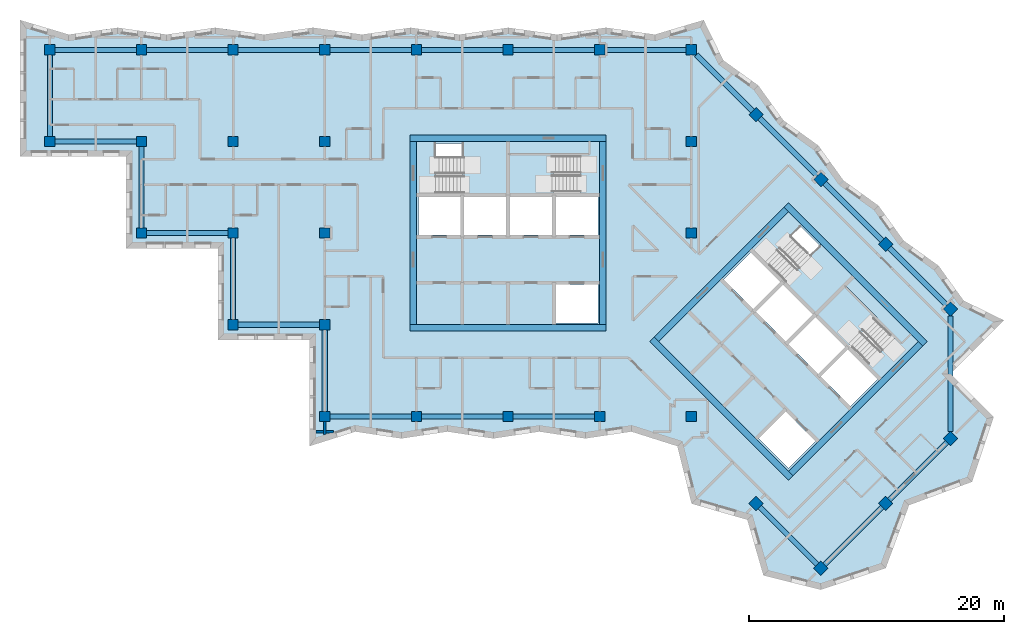
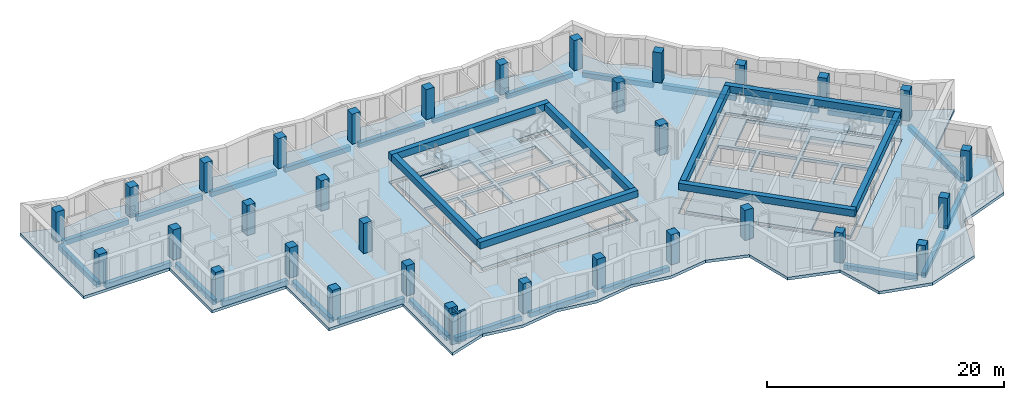
# One storey, part 1 of 13: 33 beams, 32 columns, 7 slabs, 2 walls, 16 openings, 4 elements without a shape of their own.
"""IFC4 building model written with IfcOpenShell, lengths in metres."""

from ifc_helpers import new_model, si_unit, direction, frame, frame_2d, origin, origin_2d, place, context, subcontext, project, spatial, polyline, rectangle, outline, extrude, material, layer, layer_set, material_profile, profile_set, type_object, element, aggregate, save


model = new_model("IFC4")

# Units and contexts
model_context = context("Model", 3, precision=1e-05, world=origin(), true_north=direction((0.0, 1.0)))
body_context = subcontext(model_context, "Body", "Model", "MODEL_VIEW")
ifc_project = project(units=[si_unit("LENGTHUNIT", "METRE"), si_unit("AREAUNIT", "SQUARE_METRE"), si_unit("VOLUMEUNIT", "CUBIC_METRE"), si_unit("PLANEANGLEUNIT", "RADIAN"), si_unit("MASSUNIT", "GRAM", prefix="KILO")], contexts=[model_context])

# Site, building, storey
site_placement = place(None, origin())
site = spatial("IfcSite", under=ifc_project, at=site_placement, CompositionType="ELEMENT")
building_placement = place(site_placement, origin())
building = spatial("IfcBuilding", under=site, at=building_placement, Name="Windrow Commons", CompositionType="ELEMENT")
storey_placement = place(building_placement, frame((0.0, 0.0, 216.8)))
storey = spatial("IfcBuildingStorey", under=building, at=storey_placement, Name="L59", CompositionType="ELEMENT", Elevation=216.8)

# Columns
ifc_material_1 = material(Name="Concrete C50/60", Category="concrete")
ifc_material_profile_1 = material_profile(ifc_material_1, rectangle(XDim=0.8, YDim=0.8, at=origin_2d()))
ifc_profile_set_1 = profile_set([ifc_material_profile_1], Name="Concrete C50/60")
column_type = type_object("IfcColumnType", Name="RC COLUMN 800x800 C50/60", PredefinedType="COLUMN", material=ifc_profile_set_1)
for number, where, z_axis, x_axis, name in (
    (1, (28.8, 64.8, 0.0), (0.0, 0.0, 1.0), (1.0, 0.0, 0.0), "C-Z4-05I"),
    (2, (28.8, 72.0, 0.0), (0.0, 0.0, 1.0), (1.0, 0.0, 0.0), "C-Z4-05J"),
    (3, (36.0, 57.6, 0.0), (0.0, 0.0, 1.0), (1.0, 0.0, 0.0), "C-Z4-06H"),
    (4, (36.0, 64.8, 0.0), (0.0, 0.0, 1.0), (1.0, 0.0, 0.0), "C-Z4-06I"),
    (5, (36.0, 72.0, 0.0), (0.0, 0.0, 1.0), (1.0, 0.0, 0.0), "C-Z4-06J"),
    (6, (43.2, 50.4, 0.0), (0.0, 0.0, 1.0), (1.0, 0.0, 0.0), "C-Z4-07G"),
    (7, (43.2, 57.6, 0.0), (0.0, 0.0, 1.0), (1.0, 0.0, 0.0), "C-Z4-07H"),
    (8, (43.2, 64.8, 0.0), (0.0, 0.0, 1.0), (1.0, 0.0, 0.0), "C-Z4-07I"),
    (9, (43.2, 72.0, 0.0), (0.0, 0.0, 1.0), (1.0, 0.0, 0.0), "C-Z4-07J"),
    (10, (50.4, 43.2, 0.0), (0.0, 0.0, 1.0), (1.0, 0.0, 0.0), "C-Z4-08F"),
    (11, (50.4, 50.4, 0.0), (0.0, 0.0, 1.0), (1.0, 0.0, 0.0), "C-Z4-08G"),
    (12, (50.4, 57.6, 0.0), (0.0, 0.0, 1.0), (1.0, 0.0, 0.0), "C-Z4-08H"),
    (13, (50.4, 64.8, 0.0), (0.0, 0.0, 1.0), (1.0, 0.0, 0.0), "C-Z4-08I"),
    (14, (50.4, 72.0, 0.0), (0.0, 0.0, 1.0), (1.0, 0.0, 0.0), "C-Z4-08J"),
    (15, (57.6, 43.2, 0.0), (0.0, 0.0, 1.0), (1.0, 0.0, 0.0), "C-Z4-09F"),
    (16, (57.6, 72.0, 0.0), (0.0, 0.0, 1.0), (1.0, 0.0, 0.0), "C-Z4-09J"),
    (17, (64.8, 43.2, 0.0), (0.0, 0.0, 1.0), (1.0, 0.0, 0.0), "C-Z4-10F"),
    (18, (64.8, 72.0, 0.0), (0.0, 0.0, 1.0), (1.0, 0.0, 0.0), "C-Z4-10J"),
    (19, (72.0, 43.2, 0.0), (0.0, 0.0, 1.0), (1.0, 0.0, 0.0), "C-Z4-11F"),
    (20, (72.0, 72.0, 0.0), (0.0, 0.0, 1.0), (1.0, 0.0, 0.0), "C-Z4-11J"),
    (21, (79.2, 43.2, 0.0), (0.0, 0.0, 1.0), (1.0, 0.0, 0.0), "C-Z4-12F"),
    (22, (79.2, 57.6, 0.0), (0.0, 0.0, 1.0), (1.0, 0.0, 0.0), "C-Z4-12H"),
    (23, (79.2, 64.8, 0.0), (0.0, 0.0, 1.0), (1.0, 0.0, 0.0), "C-Z4-12I"),
    (24, (79.2, 72.0, 0.0), (0.0, 0.0, 1.0), (1.0, 0.0, 0.0), "C-Z4-12J"),
    (25, (84.2912, 66.9088, 0.0), (0.0, 0.0, 1.0), (0.7071067812, -0.7071067812, 0.0), "C-Z4-P2Q"),
    (26, (89.3823, 61.8177, 0.0), (0.0, 0.0, 1.0), (0.7071067812, -0.7071067812, 0.0), "C-Z4-P3Q"),
    (27, (94.4735, 56.7265, 0.0), (0.0, 0.0, 1.0), (0.7071067812, -0.7071067812, 0.0), "C-Z4-P4Q"),
    (28, (99.5647, 51.6353, 0.0), (0.0, 0.0, 1.0), (0.7071067812, -0.7071067812, 0.0), "C-Z4-P5Q"),
    (29, (84.2912, 36.3618, 0.0), (0.0, 0.0, 1.0), (0.7071067812, -0.7071067812, 0.0), "C-Z4-P5T"),
    (30, (99.5647, 41.453, 0.0), (0.0, 0.0, 1.0), (0.7071067812, -0.7071067812, 0.0), "C-Z4-P6R"),
    (31, (94.4735, 36.3618, 0.0), (0.0, 0.0, 1.0), (0.7071067812, -0.7071067812, 0.0), "C-Z4-P6S"),
    (32, (89.3823, 31.2706, 0.0), (0.0, 0.0, 1.0), (0.7071067812, -0.7071067812, 0.0), "C-Z4-P6T"),
):
    element("IfcColumn", number, at=place(storey_placement, frame(where, z_axis=z_axis, x_axis=x_axis)), inside=storey, type_object=column_type, Name=name, PredefinedType="COLUMN", context=body_context, shape_type="SweptSolid", body=[
        extrude(rectangle(XDim=0.8, YDim=0.8, at=origin_2d()), origin(), (0.0, 0.0, 1.0), 3.1),
    ])

# Beams
ifc_material_2 = material(Name="Concrete C40/50", Category="concrete")
ifc_material_profile_2 = material_profile(ifc_material_2, rectangle(XDim=0.5, YDim=0.7, at=origin_2d()))
ifc_profile_set_2 = profile_set([ifc_material_profile_2], Name="Concrete C40/50")
beam_type_1 = type_object("IfcBeamType", Name="RC COUPLING BEAM 500x700 C40/50", PredefinedType="LINTEL", material=ifc_profile_set_2)
for number, where, z_axis, x_axis, name in (
    (33, (57.1, 50.15, 2.75), (1.0, 0.0, 0.0), (0.0, 1.0, 0.0), "Core A coupling beam outer-S"),
    (34, (57.1, 65.05, 2.75), (1.0, 0.0, 0.0), (0.0, 1.0, 0.0), "Core A coupling beam outer-N"),
):
    element("IfcBeam", number, at=place(storey_placement, frame(where, z_axis=z_axis, x_axis=x_axis)), inside=storey, type_object=beam_type_1, Name=name, PredefinedType="LINTEL", context=body_context, shape_type="SweptSolid", body=[
        extrude(rectangle(XDim=0.5, YDim=0.7, at=origin_2d()), origin(), (0.0, 0.0, 1.0), 15.4),
    ])
for number, where, z_axis, x_axis, name in (
    (35, (57.35, 50.4, 2.75), (0.0, 1.0, 0.0), (-1.0, 0.0, 0.0), "Core A coupling beam outer-W"),
    (36, (72.25, 50.4, 2.75), (0.0, 1.0, 0.0), (-1.0, 0.0, 0.0), "Core A coupling beam outer-E"),
):
    element("IfcBeam", number, at=place(storey_placement, frame(where, z_axis=z_axis, x_axis=x_axis)), inside=storey, type_object=beam_type_1, Name=name, PredefinedType="LINTEL", context=body_context, shape_type="SweptSolid", body=[
        extrude(rectangle(XDim=0.5, YDim=0.7, at=origin_2d()), origin(), (0.0, 0.0, 1.0), 14.4),
    ])
for number, where, z_axis, x_axis, name in (
    (37, (76.1241, 49.2665, 2.75), (0.7071067812, -0.7071067812, 0.0), (0.7071067812, 0.7071067812, 0.0), "Core B coupling beam outer-S"),
    (38, (86.66, 59.8024, 2.75), (0.7071067812, -0.7071067812, 0.0), (0.7071067812, 0.7071067812, 0.0), "Core B coupling beam outer-N"),
):
    element("IfcBeam", number, at=place(storey_placement, frame(where, z_axis=z_axis, x_axis=x_axis)), inside=storey, type_object=beam_type_1, Name=name, PredefinedType="LINTEL", context=body_context, shape_type="SweptSolid", body=[
        extrude(rectangle(XDim=0.5, YDim=0.7, at=origin_2d()), origin(), (0.0, 0.0, 1.0), 15.3999),
    ])
for number, where, z_axis, x_axis, name in (
    (39, (76.4776, 49.2665, 2.75), (0.7071067812, 0.7071067812, 0.0), (-0.7071067812, 0.7071067812, 0.0), "Core B coupling beam outer-W"),
    (40, (87.0135, 38.7306, 2.75), (0.7071067812, 0.7071067812, 0.0), (-0.7071067812, 0.7071067812, 0.0), "Core B coupling beam outer-E"),
):
    element("IfcBeam", number, at=place(storey_placement, frame(where, z_axis=z_axis, x_axis=x_axis)), inside=storey, type_object=beam_type_1, Name=name, PredefinedType="LINTEL", context=body_context, shape_type="SweptSolid", body=[
        extrude(rectangle(XDim=0.5, YDim=0.7, at=origin_2d()), origin(), (0.0, 0.0, 1.0), 14.4001),
    ])
ifc_material_3 = material(Name="Concrete C40/50", Category="concrete")
ifc_material_profile_3 = material_profile(ifc_material_3, rectangle(XDim=0.4, YDim=0.5, at=origin_2d()))
ifc_profile_set_3 = profile_set([ifc_material_profile_3], Name="Concrete C40/50")
beam_type_2 = type_object("IfcBeamType", Name="RC EDGE BEAM 400x500 C40/50", PredefinedType="SPANDREL", material=ifc_profile_set_3)
for number, where, z_axis, x_axis, name in (
    (41, (57.2, 43.2, -0.55), (-1.0, 0.0, 0.0), (0.0, -1.0, 0.0), "Edge beam L59 001"),
    (42, (50.4, 43.6, -0.55), (0.0, 1.0, 0.0), (-1.0, 0.0, 0.0), "Edge beam L59 002"),
    (43, (50.0, 50.4, -0.55), (-1.0, 0.0, 0.0), (0.0, -1.0, 0.0), "Edge beam L59 003"),
    (44, (43.2, 50.8, -0.55), (0.0, 1.0, 0.0), (-1.0, 0.0, 0.0), "Edge beam L59 004"),
    (45, (42.8, 57.6, -0.55), (-1.0, 0.0, 0.0), (0.0, -1.0, 0.0), "Edge beam L59 005"),
    (46, (36.0, 58.0, -0.55), (0.0, 1.0, 0.0), (-1.0, 0.0, 0.0), "Edge beam L59 006"),
    (47, (35.6, 64.8, -0.55), (-1.0, 0.0, 0.0), (0.0, -1.0, 0.0), "Edge beam L59 007"),
    (48, (28.8, 65.2, -0.55), (0.0, 1.0, 0.0), (-1.0, 0.0, 0.0), "Edge beam L59 008"),
    (49, (29.2, 72.0, -0.55), (1.0, 0.0, 0.0), (0.0, 1.0, 0.0), "Edge beam L59 009"),
    (50, (36.4, 72.0, -0.55), (1.0, 0.0, 0.0), (0.0, 1.0, 0.0), "Edge beam L59 010"),
    (51, (43.6, 72.0, -0.55), (1.0, 0.0, 0.0), (0.0, 1.0, 0.0), "Edge beam L59 011"),
    (52, (50.8, 72.0, -0.55), (1.0, 0.0, 0.0), (0.0, 1.0, 0.0), "Edge beam L59 012"),
    (53, (58.0, 72.0, -0.55), (1.0, 0.0, 0.0), (0.0, 1.0, 0.0), "Edge beam L59 013"),
    (54, (65.2, 72.0, -0.55), (1.0, 0.0, 0.0), (0.0, 1.0, 0.0), "Edge beam L59 014"),
    (55, (72.4, 72.0, -0.55), (1.0, 0.0, 0.0), (0.0, 1.0, 0.0), "Edge beam L59 015"),
):
    element("IfcBeam", number, at=place(storey_placement, frame(where, z_axis=z_axis, x_axis=x_axis)), inside=storey, type_object=beam_type_2, Name=name, PredefinedType="SPANDREL", context=body_context, shape_type="SweptSolid", body=[
        extrude(rectangle(XDim=0.4, YDim=0.5, at=origin_2d()), origin(), (0.0, 0.0, 1.0), 6.4),
    ])
beam_1_placement = place(storey_placement, frame((79.6, 71.6, -0.55), z_axis=(0.7071067812, -0.7071067812, 0.0), x_axis=(0.7071067812, 0.7071067812, 0.0)))
element("IfcBeam", 56, at=beam_1_placement, inside=storey, type_object=beam_type_2, Name="Edge beam L59 016", PredefinedType="SPANDREL", context=body_context, shape_type="SweptSolid", body=[
    extrude(rectangle(XDim=0.4, YDim=0.5, at=origin_2d()), origin(), (0.0, 0.0, 1.0), 6.2344),
])
beam_2_placement = place(storey_placement, frame((84.574, 66.626, -0.55), z_axis=(0.7071067812, -0.7071067812, 0.0), x_axis=(0.7071067812, 0.7071067812, 0.0)))
element("IfcBeam", 57, at=beam_2_placement, inside=storey, type_object=beam_type_2, Name="Edge beam L59 017", PredefinedType="SPANDREL", context=body_context, shape_type="SweptSolid", body=[
    extrude(rectangle(XDim=0.4, YDim=0.5, at=origin_2d()), origin(), (0.0, 0.0, 1.0), 6.4),
])
for number, where, z_axis, x_axis, name in (
    (58, (89.6651, 61.5349, -0.55), (0.7071067812, -0.7071067812, 0.0), (0.7071067812, 0.7071067812, 0.0), "Edge beam L59 018"),
    (59, (94.7563, 56.4437, -0.55), (0.7071067812, -0.7071067812, 0.0), (0.7071067812, 0.7071067812, 0.0), "Edge beam L59 019"),
):
    element("IfcBeam", number, at=place(storey_placement, frame(where, z_axis=z_axis, x_axis=x_axis)), inside=storey, type_object=beam_type_2, Name=name, PredefinedType="SPANDREL", context=body_context, shape_type="SweptSolid", body=[
        extrude(rectangle(XDim=0.4, YDim=0.5, at=origin_2d()), origin(), (0.0, 0.0, 1.0), 6.4002),
    ])
beam_3_placement = place(storey_placement, frame((99.5647, 51.0696, -0.55), z_axis=(0.0, -1.0, 0.0), x_axis=(1.0, 0.0, 0.0)))
element("IfcBeam", 60, at=beam_3_placement, inside=storey, type_object=beam_type_2, Name="Edge beam L59 020", PredefinedType="SPANDREL", context=body_context, shape_type="SweptSolid", body=[
    extrude(rectangle(XDim=0.4, YDim=0.5, at=origin_2d()), origin(), (0.0, 0.0, 1.0), 9.0509),
])
for number, where, z_axis, x_axis, name in (
    (61, (99.2819, 41.1702, -0.55), (-0.7071067812, -0.7071067812, 0.0), (0.7071067812, -0.7071067812, 0.0), "Edge beam L59 021"),
    (62, (94.1907, 36.079, -0.55), (-0.7071067812, -0.7071067812, 0.0), (0.7071067812, -0.7071067812, 0.0), "Edge beam L59 022"),
):
    element("IfcBeam", number, at=place(storey_placement, frame(where, z_axis=z_axis, x_axis=x_axis)), inside=storey, type_object=beam_type_2, Name=name, PredefinedType="SPANDREL", context=body_context, shape_type="SweptSolid", body=[
        extrude(rectangle(XDim=0.4, YDim=0.5, at=origin_2d()), origin(), (0.0, 0.0, 1.0), 6.4002),
    ])
beam_4_placement = place(storey_placement, frame((89.0995, 31.5534, -0.55), z_axis=(-0.7070989688, 0.7071145935, 0.0), x_axis=(-0.7071145935, -0.7070989688, 0.0)))
element("IfcBeam", 63, at=beam_4_placement, inside=storey, type_object=beam_type_2, Name="Edge beam L59 023", PredefinedType="SPANDREL", context=body_context, shape_type="SweptSolid", body=[
    extrude(rectangle(XDim=0.4, YDim=0.5, at=origin_2d()), origin(), (0.0, 0.0, 1.0), 6.4001),
])
for number, where, z_axis, x_axis, name in (
    (64, (71.6, 43.2, -0.55), (-1.0, 0.0, 0.0), (0.0, -1.0, 0.0), "Edge beam L59 024"),
    (65, (64.4, 43.2, -0.55), (-1.0, 0.0, 0.0), (0.0, -1.0, 0.0), "Edge beam L59 025"),
):
    element("IfcBeam", number, at=place(storey_placement, frame(where, z_axis=z_axis, x_axis=x_axis)), inside=storey, type_object=beam_type_2, Name=name, PredefinedType="SPANDREL", context=body_context, shape_type="SweptSolid", body=[
        extrude(rectangle(XDim=0.4, YDim=0.5, at=origin_2d()), origin(), (0.0, 0.0, 1.0), 6.4),
    ])

# Slab, openings
ifc_material_4 = material(Name="Concrete C40/50", Category="concrete")
ifc_layer_1 = layer(ifc_material_4, 0.3)
ifc_layer_set_1 = layer_set([ifc_layer_1], Name="CORE FLOOR SLAB 300 C40/50")
slab_type_1 = type_object("IfcSlabType", Name="CORE FLOOR SLAB 300 C40/50", PredefinedType="FLOOR", material=ifc_layer_set_1)
placement_1 = place(storey_placement, frame((0.0, 0.0, -0.3)))
slab_1 = element("IfcSlab", 66, at=placement_1, inside=storey, type_object=slab_type_1, Name="S-L59-core-A", PredefinedType="FLOOR", context=body_context, shape_type="SweptSolid", body=[
    extrude(outline(polyline([(57.6, 50.4), (72.0, 50.4), (72.0, 64.8), (57.6, 64.8), (57.6, 50.4)]), holes=[polyline([(68.55, 50.55), (71.85, 50.55), (71.85, 53.55), (68.55, 53.55), (68.55, 50.55)]), polyline([(57.75, 57.45), (61.05, 57.45), (61.05, 60.45), (57.75, 60.45), (57.75, 57.45)]), polyline([(61.35, 57.45), (64.65, 57.45), (64.65, 60.45), (61.35, 60.45), (61.35, 57.45)]), polyline([(64.95, 57.45), (68.25, 57.45), (68.25, 60.45), (64.95, 60.45), (64.95, 57.45)]), polyline([(68.55, 57.45), (71.85, 57.45), (71.85, 60.45), (68.55, 60.45), (68.55, 57.45)]), polyline([(59.1, 60.75), (64.65, 60.75), (64.65, 64.65), (59.1, 64.65), (59.1, 60.75)]), polyline([(64.95, 60.75), (70.5, 60.75), (70.5, 63.705), (64.95, 63.705), (64.95, 60.75)])]), origin(), (0.0, 0.0, 1.0), 0.3),
])
opening_1_placement = place(placement_1, origin())
element("IfcOpeningElement", 67, at=opening_1_placement, cuts=slab_1, Name="Slab opening S-L59-core-A 1", PredefinedType="OPENING", context=body_context, shape_type="SweptSolid", body=[
    extrude(outline(polyline([(68.555, 50.555), (68.555, 53.545), (71.845, 53.545), (71.845, 50.555), (68.555, 50.555)])), origin(), (0.0, 0.0, 1.0), 0.3),
])
opening_2_placement = place(placement_1, origin())
element("IfcOpeningElement", 68, at=opening_2_placement, cuts=slab_1, Name="Slab opening S-L59-core-A 2", PredefinedType="OPENING", context=body_context, shape_type="SweptSolid", body=[
    extrude(outline(polyline([(57.755, 57.455), (57.755, 60.445), (61.045, 60.445), (61.045, 57.455), (57.755, 57.455)])), origin(), (0.0, 0.0, 1.0), 0.3),
])
opening_3_placement = place(placement_1, origin())
element("IfcOpeningElement", 69, at=opening_3_placement, cuts=slab_1, Name="Slab opening S-L59-core-A 3", PredefinedType="OPENING", context=body_context, shape_type="SweptSolid", body=[
    extrude(outline(polyline([(61.355, 57.455), (61.355, 60.445), (64.645, 60.445), (64.645, 57.455), (61.355, 57.455)])), origin(), (0.0, 0.0, 1.0), 0.3),
])
opening_4_placement = place(placement_1, origin())
element("IfcOpeningElement", 70, at=opening_4_placement, cuts=slab_1, Name="Slab opening S-L59-core-A 4", PredefinedType="OPENING", context=body_context, shape_type="SweptSolid", body=[
    extrude(outline(polyline([(64.955, 57.455), (64.955, 60.445), (68.245, 60.445), (68.245, 57.455), (64.955, 57.455)])), origin(), (0.0, 0.0, 1.0), 0.3),
])
opening_5_placement = place(placement_1, origin())
element("IfcOpeningElement", 71, at=opening_5_placement, cuts=slab_1, Name="Slab opening S-L59-core-A 5", PredefinedType="OPENING", context=body_context, shape_type="SweptSolid", body=[
    extrude(outline(polyline([(68.555, 57.455), (68.555, 60.445), (71.845, 60.445), (71.845, 57.455), (68.555, 57.455)])), origin(), (0.0, 0.0, 1.0), 0.3),
])
opening_6_placement = place(placement_1, origin())
element("IfcOpeningElement", 72, at=opening_6_placement, cuts=slab_1, Name="Slab opening S-L59-core-A 6", PredefinedType="OPENING", context=body_context, shape_type="SweptSolid", body=[
    extrude(outline(polyline([(59.105, 60.755), (59.105, 64.645), (64.645, 64.645), (64.645, 60.755), (59.105, 60.755)])), origin(), (0.0, 0.0, 1.0), 0.3),
])
opening_7_placement = place(placement_1, origin())
element("IfcOpeningElement", 73, at=opening_7_placement, cuts=slab_1, Name="Slab opening S-L59-core-A 7", PredefinedType="OPENING", context=body_context, shape_type="SweptSolid", body=[
    extrude(outline(polyline([(64.955, 60.755), (64.955, 63.7), (70.495, 63.7), (70.495, 60.755), (64.955, 60.755)])), origin(), (0.0, 0.0, 1.0), 0.3),
])

slab_2 = element("IfcSlab", 74, at=placement_1, inside=storey, type_object=slab_type_1, Name="S-L59-core-B", PredefinedType="FLOOR", context=body_context, shape_type="SweptSolid", body=[
    extrude(outline(polyline([(76.6544, 49.0897), (86.8368, 38.9074), (97.0191, 49.0897), (86.8368, 59.2721), (76.6544, 49.0897)]), holes=[polyline([(84.5033, 41.453), (86.8368, 39.1195), (88.9581, 41.2409), (86.6246, 43.5743), (84.5033, 41.453)]), polyline([(81.7456, 53.9688), (84.079, 51.6353), (86.2004, 53.7566), (83.8669, 56.0901), (81.7456, 53.9688)]), polyline([(84.2912, 51.4232), (86.6246, 49.0897), (88.7459, 51.2111), (86.4125, 53.5445), (84.2912, 51.4232)]), polyline([(86.8368, 48.8776), (89.1702, 46.5442), (91.2915, 48.6655), (88.9581, 50.9989), (86.8368, 48.8776)]), polyline([(89.3823, 46.332), (91.7158, 43.9986), (93.8371, 46.1199), (91.5037, 48.4533), (89.3823, 46.332)]), polyline([(85.0336, 55.3476), (88.9581, 51.4232), (91.7158, 54.1809), (87.7913, 58.1054), (85.0336, 55.3476)]), polyline([(89.1702, 51.2111), (93.0946, 47.2866), (95.1841, 49.3761), (91.2597, 53.3006), (89.1702, 51.2111)])]), origin(), (0.0, 0.0, 1.0), 0.3),
])
opening_8_placement = place(placement_1, origin())
element("IfcOpeningElement", 75, at=opening_8_placement, cuts=slab_2, Name="Slab opening S-L59-core-B 1", PredefinedType="OPENING", context=body_context, shape_type="SweptSolid", body=[
    extrude(outline(polyline([(84.5104, 41.453), (86.6246, 43.5672), (88.951, 41.2409), (86.8368, 39.1266), (84.5104, 41.453)])), origin(), (0.0, 0.0, 1.0), 0.3),
])
opening_9_placement = place(placement_1, origin())
element("IfcOpeningElement", 76, at=opening_9_placement, cuts=slab_2, Name="Slab opening S-L59-core-B 2", PredefinedType="OPENING", context=body_context, shape_type="SweptSolid", body=[
    extrude(outline(polyline([(81.7527, 53.9688), (83.8669, 56.083), (86.1933, 53.7566), (84.079, 51.6424), (81.7527, 53.9688)])), origin(), (0.0, 0.0, 1.0), 0.3),
])
opening_10_placement = place(placement_1, origin())
element("IfcOpeningElement", 77, at=opening_10_placement, cuts=slab_2, Name="Slab opening S-L59-core-B 3", PredefinedType="OPENING", context=body_context, shape_type="SweptSolid", body=[
    extrude(outline(polyline([(84.2983, 51.4232), (86.4125, 53.5374), (88.7388, 51.2111), (86.6246, 49.0968), (84.2983, 51.4232)])), origin(), (0.0, 0.0, 1.0), 0.3),
])
opening_11_placement = place(placement_1, origin())
element("IfcOpeningElement", 78, at=opening_11_placement, cuts=slab_2, Name="Slab opening S-L59-core-B 4", PredefinedType="OPENING", context=body_context, shape_type="SweptSolid", body=[
    extrude(outline(polyline([(86.8439, 48.8776), (88.9581, 50.9918), (91.2844, 48.6655), (89.1702, 46.5513), (86.8439, 48.8776)])), origin(), (0.0, 0.0, 1.0), 0.3),
])
opening_12_placement = place(placement_1, origin())
element("IfcOpeningElement", 79, at=opening_12_placement, cuts=slab_2, Name="Slab opening S-L59-core-B 5", PredefinedType="OPENING", context=body_context, shape_type="SweptSolid", body=[
    extrude(outline(polyline([(89.3894, 46.332), (91.5037, 48.4462), (93.83, 46.1199), (91.7158, 44.0057), (89.3894, 46.332)])), origin(), (0.0, 0.0, 1.0), 0.3),
])
opening_13_placement = place(placement_1, origin())
element("IfcOpeningElement", 80, at=opening_13_placement, cuts=slab_2, Name="Slab opening S-L59-core-B 6", PredefinedType="OPENING", context=body_context, shape_type="SweptSolid", body=[
    extrude(outline(polyline([(85.0407, 55.3476), (87.7913, 58.0983), (91.7087, 54.1809), (88.9581, 51.4303), (85.0407, 55.3476)])), origin(), (0.0, 0.0, 1.0), 0.3),
])
opening_14_placement = place(placement_1, origin())
element("IfcOpeningElement", 81, at=opening_14_placement, cuts=slab_2, Name="Slab opening S-L59-core-B 7", PredefinedType="OPENING", context=body_context, shape_type="SweptSolid", body=[
    extrude(outline(polyline([(89.1773, 51.2111), (91.2597, 53.2935), (95.177, 49.3761), (93.0946, 47.2937), (89.1773, 51.2111)])), origin(), (0.0, 0.0, 1.0), 0.3),
])

# Stair, slab
ifc_material_5 = material(Name="Concrete C40/50", Category="concrete")
stair_type = type_object("IfcStairType", Name="Core stair", PredefinedType="HALF_TURN_STAIR", material=ifc_material_5)
placement_2 = place(storey_placement, origin())
stair_1 = element("IfcStair", 82, at=placement_2, inside=storey, type_object=stair_type, Name="L59 Exit stair A1 core A", PredefinedType="HALF_TURN_STAIR")
ifc_material_6 = material(Name="Concrete C40/50", Category="concrete")
ifc_layer_2 = layer(ifc_material_6, 0.2)
ifc_layer_set_2 = layer_set([ifc_layer_2], Name="Core stair landing")
slab_type_2 = type_object("IfcSlabType", Name="Core stair landing", PredefinedType="LANDING", material=ifc_layer_set_2)
placement_3 = place(storey_placement, frame((0.0, 0.0, 1.5)))
slab_3 = element("IfcSlab", 83, at=placement_3, type_object=slab_type_2, Name="ST-A1 landing 1", PredefinedType="LANDING", context=body_context, shape_type="SweptSolid", body=[
    extrude(outline(polyline([(61.22, 60.5), (64.8, 60.5), (64.8, 64.9), (61.22, 64.9), (61.22, 60.5)])), origin(), (0.0, 0.0, 1.0), 0.2),
])
aggregate(stair_1, [slab_3])

stair_2 = element("IfcStair", 84, at=placement_2, inside=storey, type_object=stair_type, Name="L59 Exit stair A2 core A", PredefinedType="HALF_TURN_STAIR")
slab_4 = element("IfcSlab", 85, at=placement_3, type_object=slab_type_2, Name="ST-A2 landing 1", PredefinedType="LANDING", context=body_context, shape_type="SweptSolid", body=[
    extrude(outline(polyline([(64.8, 60.5), (68.38, 60.5), (68.38, 63.855), (64.8, 63.855), (64.8, 60.5)])), origin(), (0.0, 0.0, 1.0), 0.2),
])
aggregate(stair_2, [slab_4])

stair_3 = element("IfcStair", 86, at=placement_2, inside=storey, type_object=stair_type, Name="L59 Exit stair B1 core B", PredefinedType="HALF_TURN_STAIR")
slab_5 = element("IfcSlab", 87, at=placement_3, type_object=slab_type_2, Name="ST-B1 landing 1", PredefinedType="LANDING", context=body_context, shape_type="SweptSolid", body=[
    extrude(outline(polyline([(86.3559, 53.6718), (88.8874, 51.1403), (91.9986, 54.2516), (89.4672, 56.7831), (86.3559, 53.6718)])), origin(), (0.0, 0.0, 1.0), 0.2),
])
aggregate(stair_3, [slab_5])

stair_4 = element("IfcStair", 88, at=placement_2, inside=storey, type_object=stair_type, Name="L59 Exit stair B2 core B", PredefinedType="HALF_TURN_STAIR")
slab_6 = element("IfcSlab", 89, at=placement_3, type_object=slab_type_2, Name="ST-B2 landing 1", PredefinedType="LANDING", context=body_context, shape_type="SweptSolid", body=[
    extrude(outline(polyline([(88.8874, 51.1403), (91.4188, 48.6089), (93.7911, 50.9812), (91.2597, 53.5127), (88.8874, 51.1403)])), origin(), (0.0, 0.0, 1.0), 0.2),
])
aggregate(stair_4, [slab_6])

# Slab, openings
ifc_material_7 = material(Name="Concrete C40/50", Category="concrete")
ifc_layer_3 = layer(ifc_material_7, 0.3)
ifc_layer_set_3 = layer_set([ifc_layer_3], Name="FLOOR SLAB 300 C40/50")
slab_type_3 = type_object("IfcSlabType", Name="FLOOR SLAB 300 C40/50", PredefinedType="FLOOR", material=ifc_layer_set_3)
slab_7 = element("IfcSlab", 90, at=placement_1, inside=storey, type_object=slab_type_3, Name="S-L59-floor", PredefinedType="FLOOR", context=body_context, shape_type="SweptSolid", body=[
    extrude(outline(polyline([(84.8641, 30.6976), (89.3823, 29.5736), (94.4735, 31.2706), (96.312, 36.2204), (101.2617, 38.0588), (102.9588, 43.15), (99.5647, 46.5442), (103.7663, 50.7458), (100.5992, 52.2979), (98.6228, 55.0408), (95.8799, 57.0172), (93.9036, 59.76), (91.1607, 61.7364), (89.1843, 64.4793), (86.4415, 66.4556), (84.4651, 69.1985), (81.7222, 71.1749), (80.1701, 74.342), (76.3336, 73.2), (72.497, 73.742), (68.6604, 73.2), (64.8238, 73.742), (60.9872, 73.2), (57.1506, 73.742), (53.3141, 73.2), (49.4775, 73.742), (45.6409, 73.2), (41.8043, 73.742), (37.9677, 73.2), (34.1312, 73.742), (30.2946, 73.2), (26.458, 74.342), (26.458, 63.6), (34.8, 63.6), (34.8, 56.4), (42.0, 56.4), (42.0, 49.2), (49.2, 49.2), (49.2, 40.858), (52.8122, 42.0), (56.4245, 41.458), (60.0367, 42.0), (63.649, 41.458), (67.2612, 42.0), (70.8734, 41.458), (74.4857, 42.0), (78.0979, 40.858), (79.2219, 36.3398), (83.5987, 35.0744), (84.8641, 30.6976)]), holes=[polyline([(75.9473, 49.0897), (86.8368, 59.9792), (97.7262, 49.0897), (86.8368, 38.2003), (75.9473, 49.0897)]), polyline([(57.1, 49.9), (57.1, 65.3), (72.5, 65.3), (72.5, 49.9), (57.1, 49.9)])]), origin(), (0.0, 0.0, 1.0), 0.3),
])
opening_15_placement = place(placement_1, origin())
element("IfcOpeningElement", 91, at=opening_15_placement, cuts=slab_7, Name="Slab opening S-L59-floor 1", PredefinedType="OPENING", context=body_context, shape_type="SweptSolid", body=[
    extrude(outline(polyline([(75.9544, 49.0897), (86.8368, 59.9721), (97.7191, 49.0897), (86.8368, 38.2074), (75.9544, 49.0897)])), origin(), (0.0, 0.0, 1.0), 0.3),
])
opening_16_placement = place(placement_1, origin())
element("IfcOpeningElement", 92, at=opening_16_placement, cuts=slab_7, Name="Slab opening S-L59-floor 2", PredefinedType="OPENING", context=body_context, shape_type="SweptSolid", body=[
    extrude(outline(polyline([(57.105, 49.905), (57.105, 65.295), (72.495, 65.295), (72.495, 49.905), (57.105, 49.905)])), origin(), (0.0, 0.0, 1.0), 0.3),
])

# Walls
ifc_material_8 = material(Name="Blockwork partition", Category="masonry")
ifc_layer_4 = layer(ifc_material_8, 0.2)
ifc_layer_set_4 = layer_set([ifc_layer_4], Name="IW-PARTY-200")
wall_type = type_object("IfcWallType", Name="IW-PARTY-200", PredefinedType="PARTITIONING", material=ifc_layer_set_4)
wall_1_placement = place(storey_placement, frame((49.7, 42.0, 0.0), z_axis=(0.0, 0.0, 1.0), x_axis=(1.0, 0.0, 0.0)))
element("IfcWall", 93, at=wall_1_placement, inside=storey, type_object=wall_type, Name="W-L59-W130", PredefinedType="PARTITIONING", context=body_context, shape_type="SweptSolid", body=[
    extrude(rectangle(XDim=1.4035, YDim=0.2, at=frame_2d((0.7017, 0.0))), origin(), (0.0, 0.0, 1.0), 3.1),
])
wall_2_placement = place(storey_placement, frame((50.4, 41.7618, 0.0), z_axis=(0.0, 0.0, 1.0), x_axis=(0.0, 1.0, 0.0)))
element("IfcWall", 94, at=wall_2_placement, inside=storey, type_object=wall_type, Name="W-L59-W147", PredefinedType="PARTITIONING", context=body_context, shape_type="SweptSolid", body=[
    extrude(rectangle(XDim=1.0382, YDim=0.2, at=frame_2d((0.5191, 0.0))), origin(), (0.0, 0.0, 1.0), 3.1),
])

save(model, "model.ifc")
